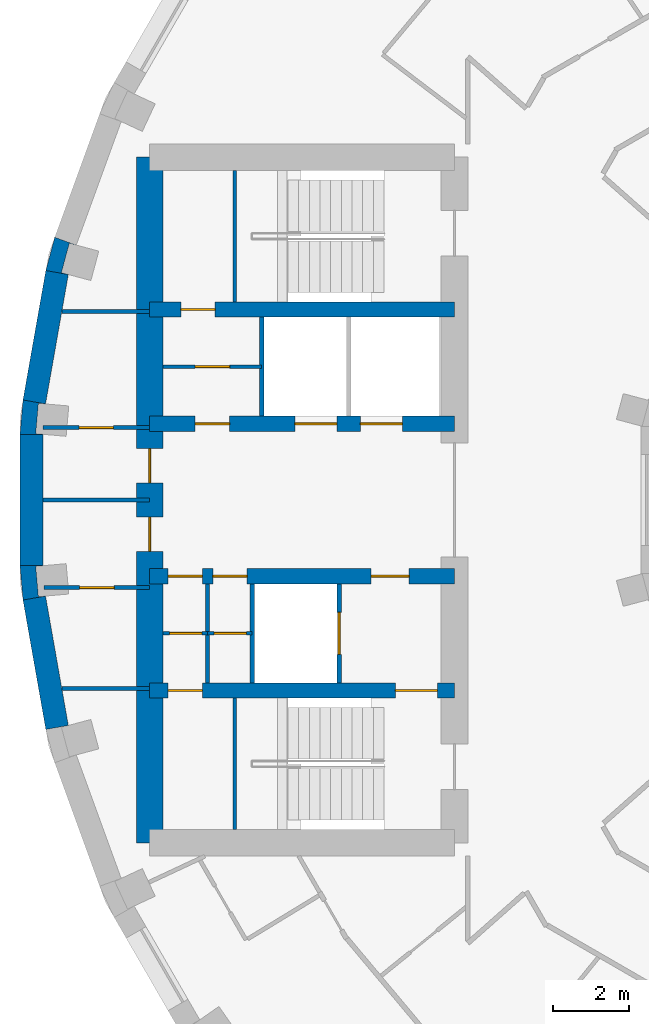
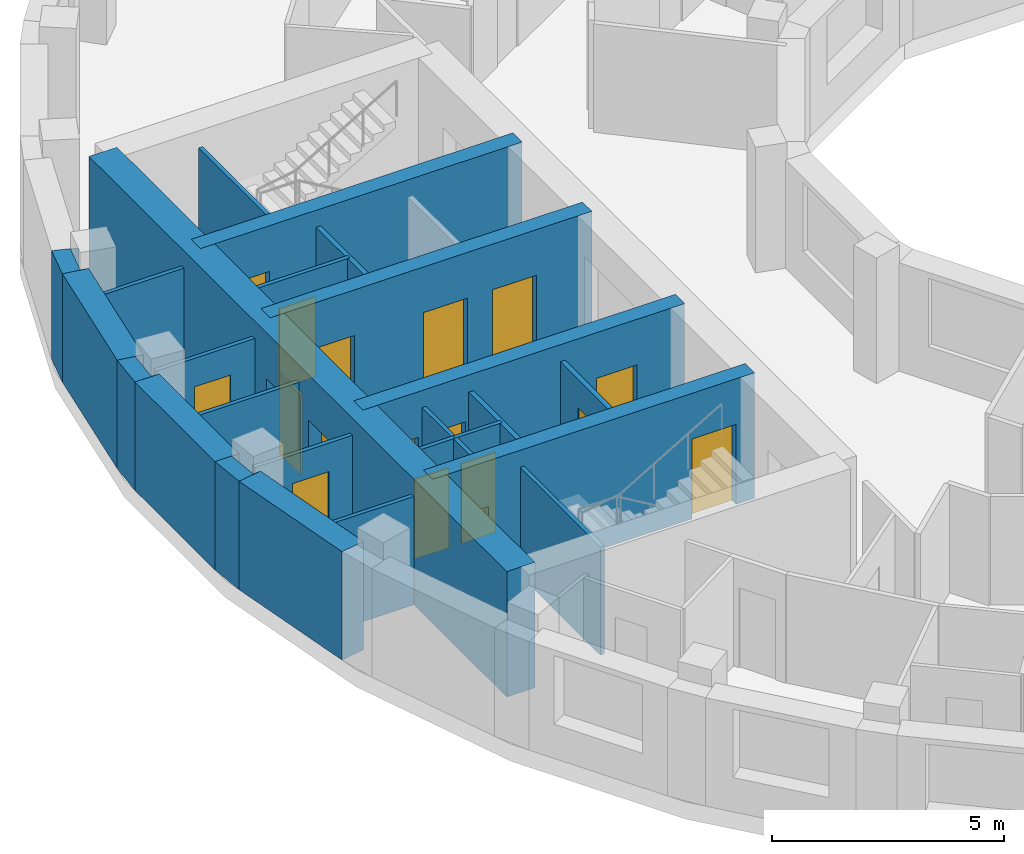
# One storey, part 6 of 14: 25 walls, 17 doors, 17 openings.
"""IFC4 building model written with IfcOpenShell, lengths in metres."""

from ifc_helpers import new_model, si_unit, direction, frame, frame_2d, origin, place, context, subcontext, project, spatial, polyline, rectangle, outline, extrude, material, layer, layer_set, type_object, element, fill, save


model = new_model("IFC4")

# Units and contexts
model_context = context("Model", 3, precision=1e-05, world=origin(), true_north=direction((0.0, 1.0)))
body_context = subcontext(model_context, "Body", "Model", "MODEL_VIEW")
ifc_project = project(units=[si_unit("LENGTHUNIT", "METRE"), si_unit("AREAUNIT", "SQUARE_METRE"), si_unit("VOLUMEUNIT", "CUBIC_METRE"), si_unit("PLANEANGLEUNIT", "RADIAN"), si_unit("MASSUNIT", "GRAM", prefix="KILO")], contexts=[model_context])

# Site, building, storey
site_placement = place(None, origin())
site = spatial("IfcSite", under=ifc_project, at=site_placement, CompositionType="ELEMENT")
building_placement = place(site_placement, origin())
building = spatial("IfcBuilding", under=site, at=building_placement, Name="Saqina Gate Tower", CompositionType="ELEMENT")
storey_placement = place(building_placement, frame((0.0, 0.0, 170.699951171875)))
storey = spatial("IfcBuildingStorey", under=building, at=storey_placement, Name="L48", CompositionType="ELEMENT", Elevation=170.699951171875)

# Walls
ifc_material_1 = material(Name="Brick masonry (buff)", Category="masonry")
wall_type_1 = type_object("IfcWallType", Name="BRICK PIER COPING BUFF", PredefinedType="SOLIDWALL", material=ifc_material_1)
wall_1_placement = place(storey_placement, origin())
element("IfcWall", 1, at=wall_1_placement, inside=storey, type_object=wall_type_1, Name="Pier cap L48 column 17", PredefinedType="SOLIDWALL", context=body_context, shape_type="SweptSolid", body=[
    extrude(outline(polyline([(-24.22705078125, 6.0234375), (-23.635986328125, 5.919189453125), (-23.81689453125, 5.967529296875), (-23.610107421875, 6.740478515625), (-23.428955078125, 6.69189453125), (-23.992919921875, 6.897216796875), (-24.22705078125, 6.0234375)])), origin(), (0.0, 0.0, 1.0), 2.85009765625),
])
wall_2_placement = place(storey_placement, origin())
element("IfcWall", 2, at=wall_2_placement, inside=storey, type_object=wall_type_1, Name="Pier cap L48 column 18", PredefinedType="SOLIDWALL", context=body_context, shape_type="SweptSolid", body=[
    extrude(outline(polyline([(-24.825927734375, 2.6259765625), (-24.90478515625, 1.724853515625), (-24.304931640625, 1.724853515625), (-24.491455078125, 1.7412109375), (-24.421630859375, 2.5380859375), (-24.235107421875, 2.521728515625), (-24.825927734375, 2.6259765625)])), origin(), (0.0, 0.0, 1.0), 2.85009765625),
])
wall_3_placement = place(storey_placement, origin())
element("IfcWall", 3, at=wall_3_placement, inside=storey, type_object=wall_type_1, Name="Pier cap L48 column 19", PredefinedType="SOLIDWALL", context=body_context, shape_type="SweptSolid", body=[
    extrude(outline(polyline([(-24.90478515625, -1.724853515625), (-24.825927734375, -2.6259765625), (-24.235107421875, -2.521728515625), (-24.421630859375, -2.5380859375), (-24.491455078125, -1.7412109375), (-24.304931640625, -1.724853515625), (-24.90478515625, -1.724853515625)])), origin(), (0.0, 0.0, 1.0), 2.85009765625),
])
ifc_material_2 = material(Name="Gypsum board on steel studs", Category="steel")
ifc_layer_1 = layer(ifc_material_2, 0.10009765625)
ifc_layer_set_1 = layer_set([ifc_layer_1], Name="CORE PARTITION")
wall_type_2 = type_object("IfcWallType", Name="CORE PARTITION", PredefinedType="PARTITIONING", material=ifc_layer_set_1)
wall_4_placement = place(storey_placement, frame((-21.5, 4.949951171875, 0.0), z_axis=(0.0, 0.0, 1.0), x_axis=(-1.0, 0.0, 0.0)))
element("IfcWall", 4, at=wall_4_placement, inside=storey, type_object=wall_type_2, Name="L48-CP-W01", PredefinedType="PARTITIONING", context=body_context, shape_type="SweptSolid", body=[
    extrude(rectangle(XDim=2.306884765625, YDim=0.10009765625, at=frame_2d((1.1533203125, 0.0))), origin(), (0.0, 0.0, 1.0), 2.85009765625),
])

# Wall, opening, door
wall_5_placement = place(storey_placement, frame((-21.5, 1.89990234375, 0.0), z_axis=(0.0, 0.0, 1.0), x_axis=(-1.0, 0.0, 0.0)))
wall_5 = element("IfcWall", 5, at=wall_5_placement, inside=storey, type_object=wall_type_2, Name="L48-CP-W02", PredefinedType="PARTITIONING", context=body_context, shape_type="SweptSolid", body=[
    extrude(rectangle(XDim=2.804931640625, YDim=0.10009765625, at=frame_2d((1.40234375, 0.0))), origin(), (0.0, 0.0, 1.0), 2.85009765625),
])
opening_1_placement = place(wall_5_placement, frame((0.952392578125, 0.0, 0.0)))
opening_1 = element("IfcOpeningElement", 6, at=opening_1_placement, cuts=wall_5, Name="Opening G14-D111", PredefinedType="OPENING", context=body_context, shape_type="SweptSolid", body=[
    extrude(rectangle(XDim=0.89990234375, YDim=2.10009765625, at=frame_2d((0.449951171875, 1.050048828125))), frame((0.0, 0.06201171875, 0.0), z_axis=(0.0, -1.0, 0.0), x_axis=(1.0, 0.0, 0.0)), (0.0, 0.0, 1.0), 0.1240234375),
])
ifc_material_3 = material(Name="Steel-framed fire door leaf, EI 60", Category="steel")
door_type_1 = type_object("IfcDoorType", Name="SERVICE ROOM DOOR 900", OperationType="SINGLE_SWING_LEFT", PredefinedType="DOOR", material=ifc_material_3)
door_1_placement = place(opening_1_placement, frame((0.89990234375, 0.0, 0.0), z_axis=(0.0, 0.0, 1.0), x_axis=(-1.0, 0.0, 0.0)))
door_1 = element("IfcDoor", 7, at=door_1_placement, inside=storey, type_object=door_type_1, Name="L48-CD-W22", OperationType="SINGLE_SWING_RIGHT", OverallHeight=2.10009765625, OverallWidth=0.89990234375, PredefinedType="DOOR", context=body_context, shape_type="SweptSolid", body=[
    extrude(rectangle(XDim=0.89990234375, YDim=2.10009765625, at=frame_2d((0.449951171875, 1.050048828125))), frame((0.0, 0.02490234375, 0.0), z_axis=(0.0, -1.0, 0.0), x_axis=(1.0, 0.0, 0.0)), (0.0, 0.0, 1.0), 0.050048828125),
])
fill(opening_1, door_1)

# Wall
wall_6_placement = place(storey_placement, frame((-21.5, -4.949951171875, 0.0), z_axis=(0.0, 0.0, 1.0), x_axis=(-1.0, 0.0, 0.0)))
element("IfcWall", 8, at=wall_6_placement, inside=storey, type_object=wall_type_2, Name="L48-CP-W03", PredefinedType="PARTITIONING", context=body_context, shape_type="SweptSolid", body=[
    extrude(rectangle(XDim=2.306884765625, YDim=0.10009765625, at=frame_2d((1.1533203125, 0.0))), origin(), (0.0, 0.0, 1.0), 2.85009765625),
])

# Wall, opening, door
wall_7_placement = place(storey_placement, frame((-21.5, -2.300048828125, 0.0), z_axis=(0.0, 0.0, 1.0), x_axis=(-1.0, 0.0, 0.0)))
wall_7 = element("IfcWall", 9, at=wall_7_placement, inside=storey, type_object=wall_type_2, Name="L48-CP-W04", PredefinedType="PARTITIONING", context=body_context, shape_type="SweptSolid", body=[
    extrude(rectangle(XDim=2.774169921875, YDim=0.10009765625, at=frame_2d((1.38720703125, 0.0))), origin(), (0.0, 0.0, 1.0), 2.85009765625),
])
opening_2_placement = place(wall_7_placement, frame((0.93701171875, 0.0, 0.0)))
opening_2 = element("IfcOpeningElement", 10, at=opening_2_placement, cuts=wall_7, Name="Opening G14-D113", PredefinedType="OPENING", context=body_context, shape_type="SweptSolid", body=[
    extrude(rectangle(XDim=0.89990234375, YDim=2.10009765625, at=frame_2d((0.449951171875, 1.050048828125))), frame((0.0, 0.06201171875, 0.0), z_axis=(0.0, -1.0, 0.0), x_axis=(1.0, 0.0, 0.0)), (0.0, 0.0, 1.0), 0.1240234375),
])
door_2_placement = place(opening_2_placement, origin())
door_2 = element("IfcDoor", 11, at=door_2_placement, inside=storey, type_object=door_type_1, Name="L48-CD-W24", OperationType="SINGLE_SWING_LEFT", OverallHeight=2.10009765625, OverallWidth=0.89990234375, PredefinedType="DOOR", context=body_context, shape_type="SweptSolid", body=[
    extrude(rectangle(XDim=0.89990234375, YDim=2.10009765625, at=frame_2d((0.449951171875, 1.050048828125))), frame((0.0, 0.02490234375, 0.0), z_axis=(0.0, -1.0, 0.0), x_axis=(1.0, 0.0, 0.0)), (0.0, 0.0, 1.0), 0.050048828125),
])
fill(opening_2, door_2)

# Walls
wall_8_placement = place(storey_placement, frame((-21.5, 0.0, 0.0), z_axis=(0.0, 0.0, 1.0), x_axis=(-1.0, 0.0, 0.0)))
element("IfcWall", 12, at=wall_8_placement, inside=storey, type_object=wall_type_2, Name="L48-CP-W05", PredefinedType="PARTITIONING", context=body_context, shape_type="SweptSolid", body=[
    extrude(rectangle(XDim=2.804931640625, YDim=0.10009765625, at=frame_2d((1.40234375, 0.0))), origin(), (0.0, 0.0, 1.0), 2.85009765625),
])
wall_9_placement = place(storey_placement, frame((-19.97998046875, -4.800048828125, 0.0), z_axis=(0.0, 0.0, 1.0), x_axis=(0.0, 1.0, 0.0)))
element("IfcWall", 13, at=wall_9_placement, inside=storey, type_object=wall_type_2, Name="L48-CP-W10", PredefinedType="PARTITIONING", context=body_context, shape_type="SweptSolid", body=[
    extrude(rectangle(XDim=2.60009765625, YDim=0.10009765625, at=frame_2d((1.300048828125, 0.0))), origin(), (0.0, 0.0, 1.0), 2.85009765625),
])

# Wall, opening, door
wall_10_placement = place(storey_placement, frame((-18.56005859375, 3.5, 0.0), z_axis=(0.0, 0.0, 1.0), x_axis=(-1.0, 0.0, 0.0)))
wall_10 = element("IfcWall", 14, at=wall_10_placement, inside=storey, type_object=wall_type_2, Name="L48-CP-W11", PredefinedType="PARTITIONING", context=body_context, shape_type="SweptSolid", body=[
    extrude(rectangle(XDim=2.58984375, YDim=0.10009765625, at=frame_2d((1.294921875, 0.0))), origin(), (0.0, 0.0, 1.0), 2.85009765625),
])
opening_3_placement = place(wall_10_placement, frame((0.844970703125, 0.0, 0.0)))
opening_3 = element("IfcOpeningElement", 15, at=opening_3_placement, cuts=wall_10, Name="Opening G14-D115", PredefinedType="OPENING", context=body_context, shape_type="SweptSolid", body=[
    extrude(rectangle(XDim=0.89990234375, YDim=2.10009765625, at=frame_2d((0.449951171875, 1.050048828125))), frame((0.0, 0.06201171875, 0.0), z_axis=(0.0, -1.0, 0.0), x_axis=(1.0, 0.0, 0.0)), (0.0, 0.0, 1.0), 0.1240234375),
])
door_3_placement = place(opening_3_placement, frame((0.89990234375, 0.0, 0.0), z_axis=(0.0, 0.0, 1.0), x_axis=(-1.0, 0.0, 0.0)))
door_3 = element("IfcDoor", 16, at=door_3_placement, inside=storey, type_object=door_type_1, Name="L48-CD-W26", OperationType="SINGLE_SWING_LEFT", OverallHeight=2.10009765625, OverallWidth=0.89990234375, PredefinedType="DOOR", context=body_context, shape_type="SweptSolid", body=[
    extrude(rectangle(XDim=0.89990234375, YDim=2.10009765625, at=frame_2d((0.449951171875, 1.050048828125))), frame((0.0, 0.02490234375, 0.0), z_axis=(0.0, -1.0, 0.0), x_axis=(1.0, 0.0, 0.0)), (0.0, 0.0, 1.0), 0.050048828125),
])
fill(opening_3, door_3)

wall_11_placement = place(storey_placement, frame((-18.81005859375, -3.5, 0.0), z_axis=(0.0, 0.0, 1.0), x_axis=(-1.0, 0.0, 0.0)))
wall_11 = element("IfcWall", 17, at=wall_11_placement, inside=storey, type_object=wall_type_2, Name="L48-CP-W12", PredefinedType="PARTITIONING", context=body_context, shape_type="SweptSolid", body=[
    extrude(rectangle(XDim=1.169921875, YDim=0.10009765625, at=frame_2d((0.5849609375, 0.0))), origin(), (0.0, 0.0, 1.0), 2.85009765625),
])
opening_4_placement = place(wall_11_placement, frame((0.14990234375, 0.0, 0.0)))
opening_4 = element("IfcOpeningElement", 18, at=opening_4_placement, cuts=wall_11, Name="Opening G14-D117", PredefinedType="OPENING", context=body_context, shape_type="SweptSolid", body=[
    extrude(rectangle(XDim=0.85009765625, YDim=2.10009765625, at=frame_2d((0.425048828125, 1.050048828125))), frame((0.0, 0.06201171875, 0.0), z_axis=(0.0, -1.0, 0.0), x_axis=(1.0, 0.0, 0.0)), (0.0, 0.0, 1.0), 0.1240234375),
])
ifc_material_4 = material(Name="Steel-framed fire door leaf, EI 60", Category="steel")
door_type_2 = type_object("IfcDoorType", Name="SERVICE ROOM DOOR 850", OperationType="SINGLE_SWING_LEFT", PredefinedType="DOOR", material=ifc_material_4)
door_4_placement = place(opening_4_placement, origin())
door_4 = element("IfcDoor", 19, at=door_4_placement, inside=storey, type_object=door_type_2, Name="L48-CD-W28", OperationType="SINGLE_SWING_LEFT", OverallHeight=2.10009765625, OverallWidth=0.85009765625, PredefinedType="DOOR", context=body_context, shape_type="SweptSolid", body=[
    extrude(rectangle(XDim=0.85009765625, YDim=2.10009765625, at=frame_2d((0.425048828125, 1.050048828125))), frame((0.0, 0.02490234375, 0.0), z_axis=(0.0, -1.0, 0.0), x_axis=(1.0, 0.0, 0.0)), (0.0, 0.0, 1.0), 0.050048828125),
])
fill(opening_4, door_4)

wall_12_placement = place(storey_placement, frame((-19.97998046875, -3.5, 0.0), z_axis=(0.0, 0.0, 1.0), x_axis=(-1.0, 0.0, 0.0)))
wall_12 = element("IfcWall", 20, at=wall_12_placement, inside=storey, type_object=wall_type_2, Name="L48-CP-W13", PredefinedType="PARTITIONING", context=body_context, shape_type="SweptSolid", body=[
    extrude(rectangle(XDim=1.169921875, YDim=0.10009765625, at=frame_2d((0.5849609375, 0.0))), origin(), (0.0, 0.0, 1.0), 2.85009765625),
])
opening_5_placement = place(wall_12_placement, frame((0.14990234375, 0.0, 0.0)))
opening_5 = element("IfcOpeningElement", 21, at=opening_5_placement, cuts=wall_12, Name="Opening G14-D118", PredefinedType="OPENING", context=body_context, shape_type="SweptSolid", body=[
    extrude(rectangle(XDim=0.85009765625, YDim=2.10009765625, at=frame_2d((0.425048828125, 1.050048828125))), frame((0.0, 0.06201171875, 0.0), z_axis=(0.0, -1.0, 0.0), x_axis=(1.0, 0.0, 0.0)), (0.0, 0.0, 1.0), 0.1240234375),
])
door_5_placement = place(opening_5_placement, origin())
door_5 = element("IfcDoor", 22, at=door_5_placement, inside=storey, type_object=door_type_2, Name="L48-CD-W29", OperationType="SINGLE_SWING_RIGHT", OverallHeight=2.10009765625, OverallWidth=0.85009765625, PredefinedType="DOOR", context=body_context, shape_type="SweptSolid", body=[
    extrude(rectangle(XDim=0.85009765625, YDim=2.10009765625, at=frame_2d((0.425048828125, 1.050048828125))), frame((0.0, 0.02490234375, 0.0), z_axis=(0.0, -1.0, 0.0), x_axis=(1.0, 0.0, 0.0)), (0.0, 0.0, 1.0), 0.050048828125),
])
fill(opening_5, door_5)

# Walls
ifc_material_5 = material(Name="Glazed ceramic tile", Category="ceramic")
ifc_layer_2 = layer(ifc_material_5, 0.60009765625)
ifc_layer_set_2 = layer_set([ifc_layer_2], Name="FW-TILE")
wall_type_3 = type_object("IfcWallType", Name="FW-TILE", PredefinedType="SOLIDWALL", material=ifc_layer_set_2)
for number, where, z_axis, x_axis, name in (
    (23, (-23.931640625, 5.97119140625, 0.0), (0.0, 0.0, 1.0), (-0.173607684551, -0.984814892183, 0.0), "Facade wall L48 facet 17"),
    (24, (-24.530517578125, -2.573974609375, 0.0), (0.0, 0.0, 1.0), (0.173607684551, -0.984814892183, 0.0), "Facade wall L48 facet 19"),
):
    element("IfcWall", number, at=place(storey_placement, frame(where, z_axis=z_axis, x_axis=x_axis)), inside=storey, type_object=wall_type_3, Name=name, PredefinedType="SOLIDWALL", context=body_context, shape_type="SweptSolid", body=[
        extrude(rectangle(XDim=3.44970703125, YDim=0.60009765625, at=frame_2d((1.724853515625, 0.0))), origin(), (0.0, 0.0, 1.0), 2.85009765625),
    ])
ifc_material_6 = material(Name="Glazed ceramic tile (dark blue)", Category="ceramic")
ifc_layer_3 = layer(ifc_material_6, 0.60009765625)
ifc_layer_set_3 = layer_set([ifc_layer_3], Name="FW-TILE-CB")
wall_type_4 = type_object("IfcWallType", Name="FW-TILE-CB", PredefinedType="SOLIDWALL", material=ifc_layer_set_3)
wall_13_placement = place(storey_placement, frame((-24.60498046875, 1.724853515625, 0.0), z_axis=(0.0, 0.0, 1.0), x_axis=(0.0, -1.0, 0.0)))
element("IfcWall", 25, at=wall_13_placement, inside=storey, type_object=wall_type_4, Name="Facade wall L48 facet 18", PredefinedType="SOLIDWALL", context=body_context, shape_type="SweptSolid", body=[
    extrude(rectangle(XDim=3.44970703125, YDim=0.60009765625, at=frame_2d((1.724853515625, 0.0))), origin(), (0.0, 0.0, 1.0), 2.85009765625),
])
ifc_material_7 = material(Name="Autoclaved aerated concrete block", Category="concrete")
ifc_layer_4 = layer(ifc_material_7, 0.1201171875)
ifc_layer_set_4 = layer_set([ifc_layer_4], Name="SHAFT PARTITION")
wall_type_5 = type_object("IfcWallType", Name="SHAFT PARTITION", PredefinedType="PARTITIONING", material=ifc_layer_set_4)
wall_14_placement = place(storey_placement, frame((-18.56005859375, 2.199951171875, 0.0), z_axis=(0.0, 0.0, 1.0), x_axis=(0.0, 1.0, 0.0)))
element("IfcWall", 26, at=wall_14_placement, inside=storey, type_object=wall_type_5, Name="L48-CP-W07", PredefinedType="PARTITIONING", context=body_context, shape_type="SweptSolid", body=[
    extrude(rectangle(XDim=2.60009765625, YDim=0.1201171875, at=frame_2d((1.300048828125, 0.0))), origin(), (0.0, 0.0, 1.0), 2.85009765625),
])

# Wall, opening, door
wall_15_placement = place(storey_placement, frame((-16.530029296875, -4.800048828125, 0.0), z_axis=(0.0, 0.0, 1.0), x_axis=(0.0, 1.0, 0.0)))
wall_15 = element("IfcWall", 27, at=wall_15_placement, inside=storey, type_object=wall_type_5, Name="L48-CP-W08", PredefinedType="PARTITIONING", context=body_context, shape_type="SweptSolid", body=[
    extrude(rectangle(XDim=2.60009765625, YDim=0.1201171875, at=frame_2d((1.300048828125, 0.0))), origin(), (0.0, 0.0, 1.0), 2.85009765625),
])
opening_6_placement = place(wall_15_placement, frame((0.75, 0.0, 0.0)))
opening_6 = element("IfcOpeningElement", 28, at=opening_6_placement, cuts=wall_15, Name="Opening G14-LD6", PredefinedType="OPENING", context=body_context, shape_type="SweptSolid", body=[
    extrude(rectangle(XDim=1.10009765625, YDim=2.10009765625, at=frame_2d((0.550048828125, 1.050048828125))), frame((0.0, 0.072021484375, 0.0), z_axis=(0.0, -1.0, 0.0), x_axis=(1.0, 0.0, 0.0)), (0.0, 0.0, 1.0), 0.14404296875),
])
ifc_material_8 = material(Name="Stainless steel", Category="steel")
door_type_3 = type_object("IfcDoorType", Name="LANDING DOOR", OperationType="DOUBLE_DOOR_SLIDING", PredefinedType="DOOR", material=ifc_material_8)
door_6_placement = place(opening_6_placement, origin())
door_6 = element("IfcDoor", 29, at=door_6_placement, inside=storey, type_object=door_type_3, Name="LANDING DOOR FF2", OperationType="DOUBLE_DOOR_SLIDING", OverallHeight=2.10009765625, OverallWidth=1.10009765625, PredefinedType="DOOR", context=body_context, shape_type="SweptSolid", body=[
    extrude(rectangle(XDim=1.10009765625, YDim=2.10009765625, at=frame_2d((0.550048828125, 1.050048828125))), frame((0.0, 0.02490234375, 0.0), z_axis=(0.0, -1.0, 0.0), x_axis=(1.0, 0.0, 0.0)), (0.0, 0.0, 1.0), 0.050048828125),
])
fill(opening_6, door_6)

# Walls
wall_16_placement = place(storey_placement, frame((-18.81005859375, -4.800048828125, 0.0), z_axis=(0.0, 0.0, 1.0), x_axis=(0.0, 1.0, 0.0)))
element("IfcWall", 30, at=wall_16_placement, inside=storey, type_object=wall_type_5, Name="L48-CP-W09", PredefinedType="PARTITIONING", context=body_context, shape_type="SweptSolid", body=[
    extrude(rectangle(XDim=2.60009765625, YDim=0.1201171875, at=frame_2d((1.300048828125, 0.0))), origin(), (0.0, 0.0, 1.0), 2.85009765625),
])
ifc_material_9 = material(Name="Autoclaved aerated concrete block", Category="concrete")
ifc_layer_5 = layer(ifc_material_9, 0.10009765625)
ifc_layer_set_5 = layer_set([ifc_layer_5], Name="STAIR ENCLOSURE WALL")
wall_type_6 = type_object("IfcWallType", Name="STAIR ENCLOSURE WALL", PredefinedType="PARTITIONING", material=ifc_layer_set_5)
for number, where, z_axis, x_axis, name in (
    (31, (-19.27001953125, 5.199951171875, 0.0), (0.0, 0.0, 1.0), (0.0, 1.0, 0.0), "L48-CP-W14"),
    (32, (-19.27001953125, -8.64990234375, 0.0), (0.0, 0.0, 1.0), (0.0, 1.0, 0.0), "L48-CP-W15"),
):
    element("IfcWall", number, at=place(storey_placement, frame(where, z_axis=z_axis, x_axis=x_axis)), inside=storey, type_object=wall_type_6, Name=name, PredefinedType="PARTITIONING", context=body_context, shape_type="SweptSolid", body=[
        extrude(rectangle(XDim=3.449951171875, YDim=0.10009765625, at=frame_2d((1.72509765625, 0.0))), origin(), (0.0, 0.0, 1.0), 2.85009765625),
    ])

# Wall, opening, door
ifc_material_10 = material(Name="Concrete C60/75", Category="concrete")
ifc_layer_6 = layer(ifc_material_10, 0.39990234375)
ifc_layer_set_6 = layer_set([ifc_layer_6], Name="Concrete C60/75")
wall_type_7 = type_object("IfcWallType", Name="STR-CORE WALL-C-I", PredefinedType="SHEAR", material=ifc_layer_set_6)
wall_17_placement = place(storey_placement, frame((-13.5, 5.0, 0.0), z_axis=(0.0, 0.0, 1.0), x_axis=(-1.0, 0.0, 0.0)))
wall_17 = element("IfcWall", 33, at=wall_17_placement, inside=storey, type_object=wall_type_7, Name="CORE WALL L48 W-X1", PredefinedType="SHEAR", context=body_context, shape_type="SweptSolid", body=[
    extrude(rectangle(XDim=8.0, YDim=0.39990234375, at=frame_2d((4.0, 0.0))), origin(), (0.0, 0.0, 1.0), 3.300048828125),
])
opening_7_placement = place(wall_17_placement, frame((6.284912109375, 0.0, 0.0)))
opening_7 = element("IfcOpeningElement", 34, at=opening_7_placement, cuts=wall_17, Name="Opening G14-D116", PredefinedType="OPENING", context=body_context, shape_type="SweptSolid", body=[
    extrude(rectangle(XDim=0.89990234375, YDim=2.10009765625, at=frame_2d((0.449951171875, 1.050048828125))), frame((0.0, 0.2119140625, 0.0), z_axis=(0.0, -1.0, 0.0), x_axis=(1.0, 0.0, 0.0)), (0.0, 0.0, 1.0), 0.423828125),
])
door_7_placement = place(opening_7_placement, frame((0.89990234375, 0.0, 0.0), z_axis=(0.0, 0.0, 1.0), x_axis=(-1.0, 0.0, 0.0)))
door_7 = element("IfcDoor", 35, at=door_7_placement, inside=storey, type_object=door_type_1, Name="L48-CD-W27", OperationType="SINGLE_SWING_LEFT", OverallHeight=2.10009765625, OverallWidth=0.89990234375, PredefinedType="DOOR", context=body_context, shape_type="SweptSolid", body=[
    extrude(rectangle(XDim=0.89990234375, YDim=2.10009765625, at=frame_2d((0.449951171875, 1.050048828125))), frame((0.0, 0.02490234375, 0.0), z_axis=(0.0, -1.0, 0.0), x_axis=(1.0, 0.0, 0.0)), (0.0, 0.0, 1.0), 0.050048828125),
])
fill(opening_7, door_7)

# Wall, openings, doors
wall_18_placement = place(storey_placement, frame((-13.5, -5.0, 0.0), z_axis=(0.0, 0.0, 1.0), x_axis=(-1.0, 0.0, 0.0)))
wall_18 = element("IfcWall", 36, at=wall_18_placement, inside=storey, type_object=wall_type_7, Name="CORE WALL L48 W-X2", PredefinedType="SHEAR", context=body_context, shape_type="SweptSolid", body=[
    extrude(rectangle(XDim=8.0, YDim=0.39990234375, at=frame_2d((4.0, 0.0))), origin(), (0.0, 0.0, 1.0), 3.300048828125),
])
opening_8_placement = place(wall_18_placement, frame((6.614990234375, 0.0, 0.0)))
opening_8 = element("IfcOpeningElement", 37, at=opening_8_placement, cuts=wall_18, Name="Opening G14-D119", PredefinedType="OPENING", context=body_context, shape_type="SweptSolid", body=[
    extrude(rectangle(XDim=0.89990234375, YDim=2.10009765625, at=frame_2d((0.449951171875, 1.050048828125))), frame((0.0, 0.2119140625, 0.0), z_axis=(0.0, -1.0, 0.0), x_axis=(1.0, 0.0, 0.0)), (0.0, 0.0, 1.0), 0.423828125),
])
opening_9_placement = place(wall_18_placement, frame((0.449951171875, 0.0, 0.0)))
opening_9 = element("IfcOpeningElement", 38, at=opening_9_placement, cuts=wall_18, Name="Opening G14-D120", PredefinedType="OPENING", context=body_context, shape_type="SweptSolid", body=[
    extrude(rectangle(XDim=1.10009765625, YDim=2.10009765625, at=frame_2d((0.550048828125, 1.050048828125))), frame((0.0, 0.2119140625, 0.0), z_axis=(0.0, -1.0, 0.0), x_axis=(1.0, 0.0, 0.0)), (0.0, 0.0, 1.0), 0.423828125),
])
ifc_material_11 = material(Name="Steel", Category="steel")
door_type_4 = type_object("IfcDoorType", Name="FIRE LOBBY DOOR EI 60 WIDE", OperationType="SINGLE_SWING_LEFT", PredefinedType="DOOR", material=ifc_material_11)
door_8_placement = place(opening_9_placement, origin())
door_8 = element("IfcDoor", 39, at=door_8_placement, inside=storey, type_object=door_type_4, Name="L48-CD-W31", OperationType="SINGLE_SWING_LEFT", OverallHeight=2.10009765625, OverallWidth=1.10009765625, PredefinedType="DOOR", context=body_context, shape_type="SweptSolid", body=[
    extrude(rectangle(XDim=1.10009765625, YDim=2.10009765625, at=frame_2d((0.550048828125, 1.050048828125))), frame((0.0, 0.02490234375, 0.0), z_axis=(0.0, -1.0, 0.0), x_axis=(1.0, 0.0, 0.0)), (0.0, 0.0, 1.0), 0.050048828125),
])
fill(opening_9, door_8)
door_9_placement = place(opening_8_placement, origin())
door_9 = element("IfcDoor", 40, at=door_9_placement, inside=storey, type_object=door_type_1, Name="L48-CD-W30", OperationType="SINGLE_SWING_RIGHT", OverallHeight=2.10009765625, OverallWidth=0.89990234375, PredefinedType="DOOR", context=body_context, shape_type="SweptSolid", body=[
    extrude(rectangle(XDim=0.89990234375, YDim=2.10009765625, at=frame_2d((0.449951171875, 1.050048828125))), frame((0.0, 0.02490234375, 0.0), z_axis=(0.0, -1.0, 0.0), x_axis=(1.0, 0.0, 0.0)), (0.0, 0.0, 1.0), 0.050048828125),
])
fill(opening_8, door_9)

wall_19_placement = place(storey_placement, frame((-13.5, 2.0, 0.0), z_axis=(0.0, 0.0, 1.0), x_axis=(-1.0, 0.0, 0.0)))
wall_19 = element("IfcWall", 41, at=wall_19_placement, inside=storey, type_object=wall_type_7, Name="CORE WALL L48 W-L1", PredefinedType="SHEAR", context=body_context, shape_type="SweptSolid", body=[
    extrude(rectangle(XDim=8.0, YDim=0.39990234375, at=frame_2d((4.0, 0.0))), origin(), (0.0, 0.0, 1.0), 3.300048828125),
])
opening_10_placement = place(wall_19_placement, frame((1.3701171875, 0.0, 0.0)))
opening_10 = element("IfcOpeningElement", 42, at=opening_10_placement, cuts=wall_19, Name="Opening G14-LD4", PredefinedType="OPENING", context=body_context, shape_type="SweptSolid", body=[
    extrude(rectangle(XDim=1.10009765625, YDim=2.10009765625, at=frame_2d((0.550048828125, 1.050048828125))), frame((0.0, 0.2119140625, 0.0), z_axis=(0.0, -1.0, 0.0), x_axis=(1.0, 0.0, 0.0)), (0.0, 0.0, 1.0), 0.423828125),
])
opening_11_placement = place(wall_19_placement, frame((3.090087890625, 0.0, 0.0)))
opening_11 = element("IfcOpeningElement", 43, at=opening_11_placement, cuts=wall_19, Name="Opening G14-LD5", PredefinedType="OPENING", context=body_context, shape_type="SweptSolid", body=[
    extrude(rectangle(XDim=1.10009765625, YDim=2.10009765625, at=frame_2d((0.550048828125, 1.050048828125))), frame((0.0, 0.2119140625, 0.0), z_axis=(0.0, -1.0, 0.0), x_axis=(1.0, 0.0, 0.0)), (0.0, 0.0, 1.0), 0.423828125),
])
opening_12_placement = place(wall_19_placement, frame((5.905029296875, 0.0, 0.0)))
opening_12 = element("IfcOpeningElement", 44, at=opening_12_placement, cuts=wall_19, Name="Opening G14-D107", PredefinedType="OPENING", context=body_context, shape_type="SweptSolid", body=[
    extrude(rectangle(XDim=0.89990234375, YDim=2.10009765625, at=frame_2d((0.449951171875, 1.050048828125))), frame((0.0, 0.2119140625, 0.0), z_axis=(0.0, -1.0, 0.0), x_axis=(1.0, 0.0, 0.0)), (0.0, 0.0, 1.0), 0.423828125),
])
door_10_placement = place(opening_10_placement, origin())
door_10 = element("IfcDoor", 45, at=door_10_placement, inside=storey, type_object=door_type_3, Name="LANDING DOOR HR3", OperationType="DOUBLE_DOOR_SLIDING", OverallHeight=2.10009765625, OverallWidth=1.10009765625, PredefinedType="DOOR", context=body_context, shape_type="SweptSolid", body=[
    extrude(rectangle(XDim=1.10009765625, YDim=2.10009765625, at=frame_2d((0.550048828125, 1.050048828125))), frame((0.0, 0.02490234375, 0.0), z_axis=(0.0, -1.0, 0.0), x_axis=(1.0, 0.0, 0.0)), (0.0, 0.0, 1.0), 0.050048828125),
])
fill(opening_10, door_10)
door_11_placement = place(opening_11_placement, origin())
door_11 = element("IfcDoor", 46, at=door_11_placement, inside=storey, type_object=door_type_3, Name="LANDING DOOR HR4", OperationType="DOUBLE_DOOR_SLIDING", OverallHeight=2.10009765625, OverallWidth=1.10009765625, PredefinedType="DOOR", context=body_context, shape_type="SweptSolid", body=[
    extrude(rectangle(XDim=1.10009765625, YDim=2.10009765625, at=frame_2d((0.550048828125, 1.050048828125))), frame((0.0, 0.02490234375, 0.0), z_axis=(0.0, -1.0, 0.0), x_axis=(1.0, 0.0, 0.0)), (0.0, 0.0, 1.0), 0.050048828125),
])
fill(opening_11, door_11)
door_12_placement = place(opening_12_placement, frame((0.89990234375, 0.0, 0.0), z_axis=(0.0, 0.0, 1.0), x_axis=(-1.0, 0.0, 0.0)))
door_12 = element("IfcDoor", 47, at=door_12_placement, inside=storey, type_object=door_type_1, Name="L48-CD-W18", OperationType="SINGLE_SWING_LEFT", OverallHeight=2.10009765625, OverallWidth=0.89990234375, PredefinedType="DOOR", context=body_context, shape_type="SweptSolid", body=[
    extrude(rectangle(XDim=0.89990234375, YDim=2.10009765625, at=frame_2d((0.449951171875, 1.050048828125))), frame((0.0, 0.02490234375, 0.0), z_axis=(0.0, -1.0, 0.0), x_axis=(1.0, 0.0, 0.0)), (0.0, 0.0, 1.0), 0.050048828125),
])
fill(opening_12, door_12)

wall_20_placement = place(storey_placement, frame((-13.5, -2.0, 0.0), z_axis=(0.0, 0.0, 1.0), x_axis=(-1.0, 0.0, 0.0)))
wall_20 = element("IfcWall", 48, at=wall_20_placement, inside=storey, type_object=wall_type_7, Name="CORE WALL L48 W-L2", PredefinedType="SHEAR", context=body_context, shape_type="SweptSolid", body=[
    extrude(rectangle(XDim=8.0, YDim=0.39990234375, at=frame_2d((4.0, 0.0))), origin(), (0.0, 0.0, 1.0), 3.300048828125),
])
opening_13_placement = place(wall_20_placement, frame((1.18994140625, 0.0, 0.0)))
opening_13 = element("IfcOpeningElement", 49, at=opening_13_placement, cuts=wall_20, Name="Opening G14-D108", PredefinedType="OPENING", context=body_context, shape_type="SweptSolid", body=[
    extrude(rectangle(XDim=1.0, YDim=2.10009765625, at=frame_2d((0.5, 1.050048828125))), frame((0.0, 0.2119140625, 0.0), z_axis=(0.0, -1.0, 0.0), x_axis=(1.0, 0.0, 0.0)), (0.0, 0.0, 1.0), 0.423828125),
])
opening_14_placement = place(wall_20_placement, frame((5.445068359375, 0.0, 0.0)))
opening_14 = element("IfcOpeningElement", 50, at=opening_14_placement, cuts=wall_20, Name="Opening G14-D109", PredefinedType="OPENING", context=body_context, shape_type="SweptSolid", body=[
    extrude(rectangle(XDim=0.89990234375, YDim=2.10009765625, at=frame_2d((0.449951171875, 1.050048828125))), frame((0.0, 0.2119140625, 0.0), z_axis=(0.0, -1.0, 0.0), x_axis=(1.0, 0.0, 0.0)), (0.0, 0.0, 1.0), 0.423828125),
])
opening_15_placement = place(wall_20_placement, frame((6.614990234375, 0.0, 0.0)))
opening_15 = element("IfcOpeningElement", 51, at=opening_15_placement, cuts=wall_20, Name="Opening G14-D110", PredefinedType="OPENING", context=body_context, shape_type="SweptSolid", body=[
    extrude(rectangle(XDim=0.89990234375, YDim=2.10009765625, at=frame_2d((0.449951171875, 1.050048828125))), frame((0.0, 0.2119140625, 0.0), z_axis=(0.0, -1.0, 0.0), x_axis=(1.0, 0.0, 0.0)), (0.0, 0.0, 1.0), 0.423828125),
])
ifc_material_12 = material(Name="Steel", Category="steel")
door_type_5 = type_object("IfcDoorType", Name="FIRE LOBBY DOOR EI 60", OperationType="SINGLE_SWING_LEFT", PredefinedType="DOOR", material=ifc_material_12)
door_13_placement = place(opening_13_placement, frame((1.0, 0.0, 0.0), z_axis=(0.0, 0.0, 1.0), x_axis=(-1.0, 0.0, 0.0)))
door_13 = element("IfcDoor", 52, at=door_13_placement, inside=storey, type_object=door_type_5, Name="L48-CD-W19", OperationType="SINGLE_SWING_RIGHT", OverallHeight=2.10009765625, OverallWidth=1.0, PredefinedType="DOOR", context=body_context, shape_type="SweptSolid", body=[
    extrude(rectangle(XDim=1.0, YDim=2.10009765625, at=frame_2d((0.5, 1.050048828125))), frame((0.0, 0.02490234375, 0.0), z_axis=(0.0, -1.0, 0.0), x_axis=(1.0, 0.0, 0.0)), (0.0, 0.0, 1.0), 0.050048828125),
])
fill(opening_13, door_13)
door_14_placement = place(opening_14_placement, origin())
door_14 = element("IfcDoor", 53, at=door_14_placement, inside=storey, type_object=door_type_1, Name="L48-CD-W20", OperationType="SINGLE_SWING_LEFT", OverallHeight=2.10009765625, OverallWidth=0.89990234375, PredefinedType="DOOR", context=body_context, shape_type="SweptSolid", body=[
    extrude(rectangle(XDim=0.89990234375, YDim=2.10009765625, at=frame_2d((0.449951171875, 1.050048828125))), frame((0.0, 0.02490234375, 0.0), z_axis=(0.0, -1.0, 0.0), x_axis=(1.0, 0.0, 0.0)), (0.0, 0.0, 1.0), 0.050048828125),
])
fill(opening_14, door_14)
door_15_placement = place(opening_15_placement, origin())
door_15 = element("IfcDoor", 54, at=door_15_placement, inside=storey, type_object=door_type_1, Name="L48-CD-W21", OperationType="SINGLE_SWING_RIGHT", OverallHeight=2.10009765625, OverallWidth=0.89990234375, PredefinedType="DOOR", context=body_context, shape_type="SweptSolid", body=[
    extrude(rectangle(XDim=0.89990234375, YDim=2.10009765625, at=frame_2d((0.449951171875, 1.050048828125))), frame((0.0, 0.02490234375, 0.0), z_axis=(0.0, -1.0, 0.0), x_axis=(1.0, 0.0, 0.0)), (0.0, 0.0, 1.0), 0.050048828125),
])
fill(opening_15, door_15)

ifc_material_13 = material(Name="Concrete C60/75", Category="concrete")
ifc_layer_7 = layer(ifc_material_13, 0.699951171875)
ifc_layer_set_7 = layer_set([ifc_layer_7], Name="Concrete C60/75")
wall_type_8 = type_object("IfcWallType", Name="STR-CORE WALL-C-O", PredefinedType="SHEAR", material=ifc_layer_set_7)
wall_21_placement = place(storey_placement, frame((-21.5, -9.0, 0.0), z_axis=(0.0, 0.0, 1.0), x_axis=(0.0, 1.0, 0.0)))
wall_21 = element("IfcWall", 55, at=wall_21_placement, inside=storey, type_object=wall_type_8, Name="CORE WALL L48 W-W2", PredefinedType="SHEAR", context=body_context, shape_type="SweptSolid", body=[
    extrude(rectangle(XDim=18.0, YDim=0.699951171875, at=frame_2d((9.0, 0.0))), origin(), (0.0, 0.0, 1.0), 3.300048828125),
])
opening_16_placement = place(wall_21_placement, frame((9.449951171875, 0.0, 0.0)))
opening_16 = element("IfcOpeningElement", 56, at=opening_16_placement, cuts=wall_21, Name="Opening G14-D112", PredefinedType="OPENING", context=body_context, shape_type="SweptSolid", body=[
    extrude(rectangle(XDim=0.89990234375, YDim=2.10009765625, at=frame_2d((0.449951171875, 1.050048828125))), frame((0.0, 0.362060546875, 0.0), z_axis=(0.0, -1.0, 0.0), x_axis=(1.0, 0.0, 0.0)), (0.0, 0.0, 1.0), 0.723876953125),
])
opening_17_placement = place(wall_21_placement, frame((7.64990234375, 0.0, 0.0)))
opening_17 = element("IfcOpeningElement", 57, at=opening_17_placement, cuts=wall_21, Name="Opening G14-D114", PredefinedType="OPENING", context=body_context, shape_type="SweptSolid", body=[
    extrude(rectangle(XDim=0.89990234375, YDim=2.10009765625, at=frame_2d((0.449951171875, 1.050048828125))), frame((0.0, 0.362060546875, 0.0), z_axis=(0.0, -1.0, 0.0), x_axis=(1.0, 0.0, 0.0)), (0.0, 0.0, 1.0), 0.723876953125),
])
door_16_placement = place(opening_16_placement, origin())
door_16 = element("IfcDoor", 58, at=door_16_placement, inside=storey, type_object=door_type_1, Name="L48-CD-W23", OperationType="SINGLE_SWING_RIGHT", OverallHeight=2.10009765625, OverallWidth=0.89990234375, PredefinedType="DOOR", context=body_context, shape_type="SweptSolid", body=[
    extrude(rectangle(XDim=0.89990234375, YDim=2.10009765625, at=frame_2d((0.449951171875, 1.050048828125))), frame((0.0, 0.02490234375, 0.0), z_axis=(0.0, -1.0, 0.0), x_axis=(1.0, 0.0, 0.0)), (0.0, 0.0, 1.0), 0.050048828125),
])
fill(opening_16, door_16)
door_17_placement = place(opening_17_placement, origin())
door_17 = element("IfcDoor", 59, at=door_17_placement, inside=storey, type_object=door_type_1, Name="L48-CD-W25", OperationType="SINGLE_SWING_RIGHT", OverallHeight=2.10009765625, OverallWidth=0.89990234375, PredefinedType="DOOR", context=body_context, shape_type="SweptSolid", body=[
    extrude(rectangle(XDim=0.89990234375, YDim=2.10009765625, at=frame_2d((0.449951171875, 1.050048828125))), frame((0.0, 0.02490234375, 0.0), z_axis=(0.0, -1.0, 0.0), x_axis=(1.0, 0.0, 0.0)), (0.0, 0.0, 1.0), 0.050048828125),
])
fill(opening_17, door_17)

save(model, "model.ifc")
